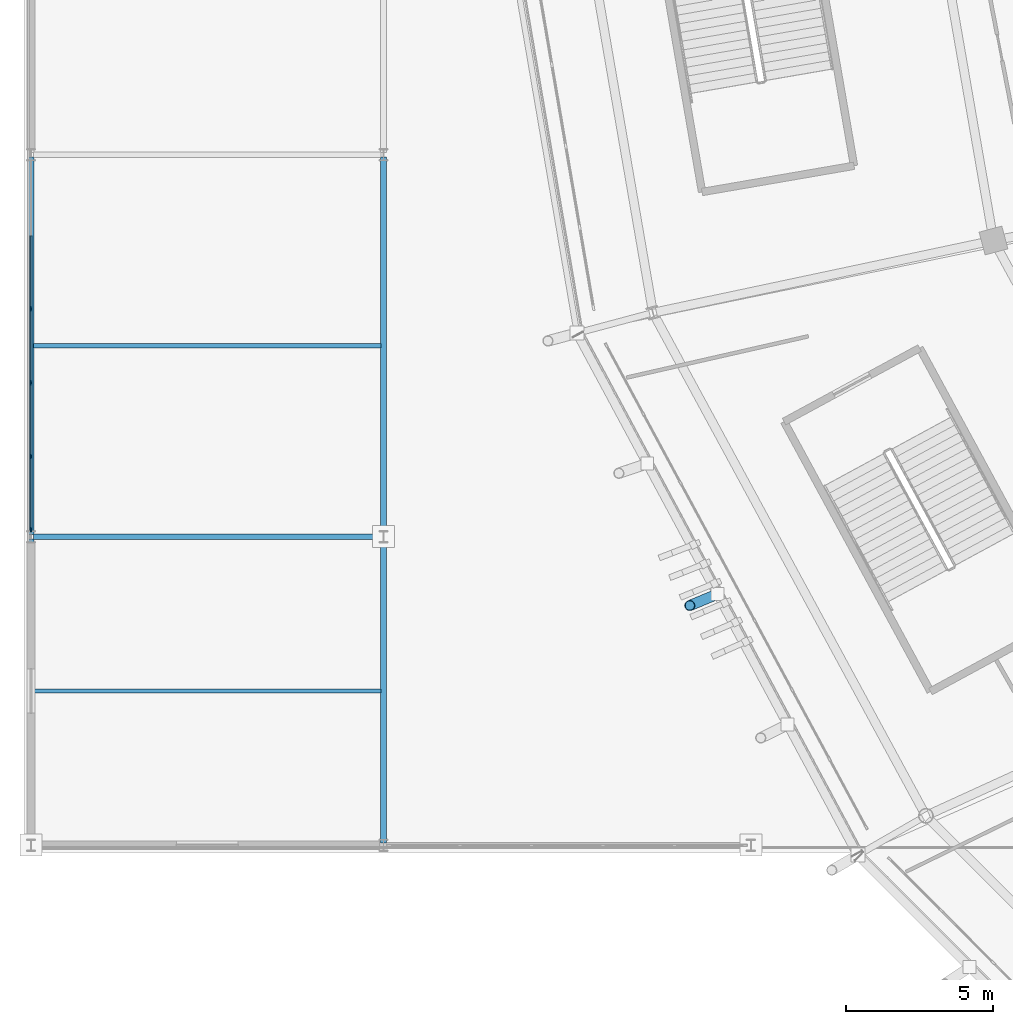
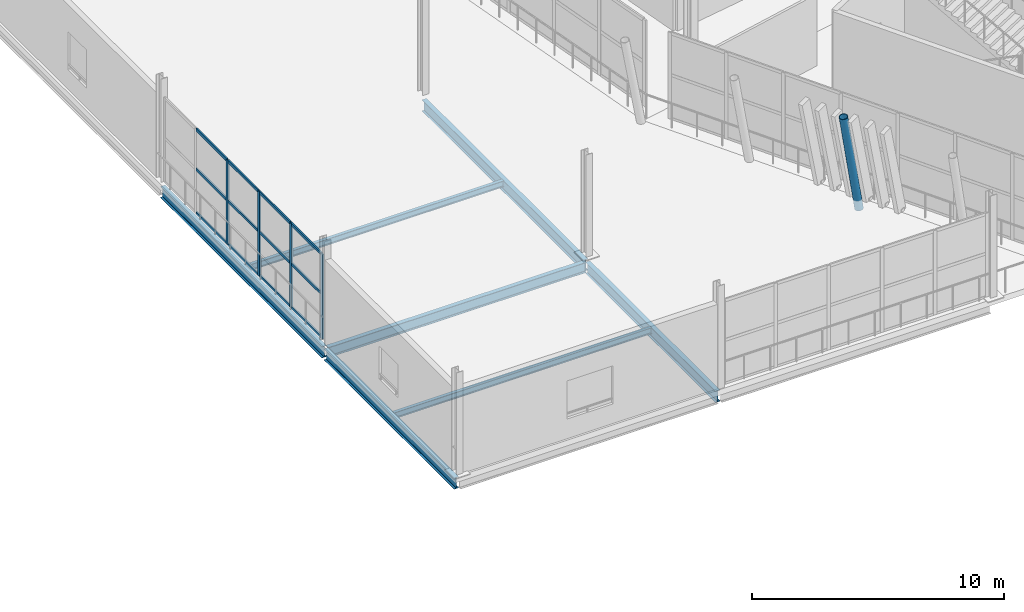
# One storey, part 28 of 179: 17 members, 7 beams, 1 element without a shape of its own.
"""IFC4 building model written with IfcOpenShell, lengths in metres."""

from ifc_helpers import new_model, si_unit, direction, frame, origin, origin_2d, place, context, subcontext, project, spatial, rectangle, hollow_circle, i_section, extrude, material, material_profile, profile_set, type_object, element, aggregate, save


model = new_model("IFC4")

# Units and contexts
model_context = context("Model", 3, precision=1e-05, world=origin(), true_north=direction((0.0, 1.0)))
body_context = subcontext(model_context, "Body", "Model", "MODEL_VIEW")
ifc_project = project(units=[si_unit("LENGTHUNIT", "METRE"), si_unit("AREAUNIT", "SQUARE_METRE"), si_unit("VOLUMEUNIT", "CUBIC_METRE"), si_unit("PLANEANGLEUNIT", "RADIAN"), si_unit("MASSUNIT", "GRAM", prefix="KILO")], contexts=[model_context])

# Site, building, storey
site_placement = place(None, origin())
site = spatial("IfcSite", under=ifc_project, at=site_placement, CompositionType="ELEMENT")
building_placement = place(site_placement, origin())
building = spatial("IfcBuilding", under=site, at=building_placement, Name="Zlatoyarsky Gate Stadium", CompositionType="ELEMENT")
storey_placement = place(building_placement, frame((0.0, 0.0, 10.60009765625)))
storey = spatial("IfcBuildingStorey", under=building, at=storey_placement, Name="L02", CompositionType="ELEMENT", Elevation=10.60009765625)

# Curtain wall, members
ifc_material_1 = material(Name="Thermally broken anodised aluminium curtain wall", Category="aluminium")
curtain_wall_type = type_object("IfcCurtainWallType", Name="WINTER GARDEN CONSERVATORY GLAZING", PredefinedType="USERDEFINED", material=ifc_material_1)
curtain_wall_placement = place(storey_placement, origin())
curtain_wall = element("IfcCurtainWall", 1, at=curtain_wall_placement, inside=storey, type_object=curtain_wall_type, Name="Curtain wall CW-V4_WEST-L02-168", ObjectType="UNITISED GLAZING", PredefinedType="USERDEFINED")
ifc_material_2 = material(Name="Anodised aluminium 6063-T6", Category="aluminium")
ifc_material_profile_1 = material_profile(ifc_material_2, rectangle(XDim=0.06494140625, YDim=0.159912109375, at=origin_2d()), Name="ALU 65X160")
ifc_profile_set_1 = profile_set([ifc_material_profile_1], Name="Anodised aluminium 6063-T6")
member_type_1 = type_object("IfcMemberType", Name="ALUMINIUM MULLION 65X160", PredefinedType="MULLION", material=ifc_profile_set_1)
member_1_placement = place(storey_placement, frame((0.0, 54.244384765625, 0.0), z_axis=(0.0, 0.0, 1.0), x_axis=(-1.0, 0.0, 0.0)))
member_1 = element("IfcMember", 2, at=member_1_placement, type_object=member_type_1, Name="CW-WG1 mullion 1", PredefinedType="MULLION", context=body_context, shape_type="SweptSolid", body=[
    extrude(rectangle(XDim=0.06494140625, YDim=0.159912109375, at=origin_2d()), origin(), (0.0, 0.0, 1.0), 4.099853515625),
])
member_2_placement = place(storey_placement, frame((0.0, 56.727294921875, 0.0), z_axis=(0.0, 0.0, 1.0), x_axis=(-1.0, 0.0, 0.0)))
member_2 = element("IfcMember", 3, at=member_2_placement, type_object=member_type_1, Name="CW-WG1 mullion 2", PredefinedType="MULLION", context=body_context, shape_type="SweptSolid", body=[
    extrude(rectangle(XDim=0.06494140625, YDim=0.159912109375, at=origin_2d()), origin(), (0.0, 0.0, 1.0), 4.099853515625),
])
member_3_placement = place(storey_placement, frame((0.0, 59.242431640625, 0.0), z_axis=(0.0, 0.0, 1.0), x_axis=(-1.0, 0.0, 0.0)))
member_3 = element("IfcMember", 4, at=member_3_placement, type_object=member_type_1, Name="CW-WG1 mullion 3", PredefinedType="MULLION", context=body_context, shape_type="SweptSolid", body=[
    extrude(rectangle(XDim=0.06494140625, YDim=0.159912109375, at=origin_2d()), origin(), (0.0, 0.0, 1.0), 4.099853515625),
])
member_4_placement = place(storey_placement, frame((0.0, 61.757568359375, 0.0), z_axis=(0.0, 0.0, 1.0), x_axis=(-1.0, 0.0, 0.0)))
member_4 = element("IfcMember", 5, at=member_4_placement, type_object=member_type_1, Name="CW-WG1 mullion 4", PredefinedType="MULLION", context=body_context, shape_type="SweptSolid", body=[
    extrude(rectangle(XDim=0.06494140625, YDim=0.159912109375, at=origin_2d()), origin(), (0.0, 0.0, 1.0), 4.099853515625),
])
ifc_material_profile_2 = material_profile(ifc_material_2, rectangle(XDim=0.06494140625, YDim=0.139892578125, at=origin_2d()), Name="ALU 65X140")
ifc_profile_set_2 = profile_set([ifc_material_profile_2], Name="Anodised aluminium 6063-T6")
member_type_2 = type_object("IfcMemberType", Name="ALUMINIUM TRANSOM 65X140", PredefinedType="USERDEFINED", material=ifc_profile_set_2)
member_5_placement = place(storey_placement, frame((0.0, 54.277099609375, 0.032470703125), z_axis=(0.0, 1.0, 0.0), x_axis=(-1.0, 0.0, 0.0)))
member_5 = element("IfcMember", 6, at=member_5_placement, type_object=member_type_2, Name="CW-WG1 transom 1.1", ObjectType="TRANSOM", PredefinedType="USERDEFINED", context=body_context, shape_type="SweptSolid", body=[
    extrude(rectangle(XDim=0.06494140625, YDim=0.139892578125, at=origin_2d()), origin(), (0.0, 0.0, 1.0), 2.41748046875),
])
member_6_placement = place(storey_placement, frame((0.0, 54.277099609375, 2.14990234375), z_axis=(0.0, 1.0, 0.0), x_axis=(-1.0, 0.0, 0.0)))
member_6 = element("IfcMember", 7, at=member_6_placement, type_object=member_type_2, Name="CW-WG1 transom 1.2", ObjectType="TRANSOM", PredefinedType="USERDEFINED", context=body_context, shape_type="SweptSolid", body=[
    extrude(rectangle(XDim=0.06494140625, YDim=0.139892578125, at=origin_2d()), origin(), (0.0, 0.0, 1.0), 2.41748046875),
])
member_7_placement = place(storey_placement, frame((0.0, 54.277099609375, 4.0673828125), z_axis=(0.0, 1.0, 0.0), x_axis=(-1.0, 0.0, 0.0)))
member_7 = element("IfcMember", 8, at=member_7_placement, type_object=member_type_2, Name="CW-WG1 transom 1.3", ObjectType="TRANSOM", PredefinedType="USERDEFINED", context=body_context, shape_type="SweptSolid", body=[
    extrude(rectangle(XDim=0.06494140625, YDim=0.139892578125, at=origin_2d()), origin(), (0.0, 0.0, 1.0), 2.41748046875),
])
member_8_placement = place(storey_placement, frame((0.0, 56.759765625, 0.032470703125), z_axis=(0.0, 1.0, 0.0), x_axis=(-1.0, 0.0, 0.0)))
member_8 = element("IfcMember", 9, at=member_8_placement, type_object=member_type_2, Name="CW-WG1 transom 2.1", ObjectType="TRANSOM", PredefinedType="USERDEFINED", context=body_context, shape_type="SweptSolid", body=[
    extrude(rectangle(XDim=0.06494140625, YDim=0.139892578125, at=origin_2d()), origin(), (0.0, 0.0, 1.0), 2.4501953125),
])
member_9_placement = place(storey_placement, frame((0.0, 56.759765625, 2.14990234375), z_axis=(0.0, 1.0, 0.0), x_axis=(-1.0, 0.0, 0.0)))
member_9 = element("IfcMember", 10, at=member_9_placement, type_object=member_type_2, Name="CW-WG1 transom 2.2", ObjectType="TRANSOM", PredefinedType="USERDEFINED", context=body_context, shape_type="SweptSolid", body=[
    extrude(rectangle(XDim=0.06494140625, YDim=0.139892578125, at=origin_2d()), origin(), (0.0, 0.0, 1.0), 2.4501953125),
])
member_10_placement = place(storey_placement, frame((0.0, 56.759765625, 4.0673828125), z_axis=(0.0, 1.0, 0.0), x_axis=(-1.0, 0.0, 0.0)))
member_10 = element("IfcMember", 11, at=member_10_placement, type_object=member_type_2, Name="CW-WG1 transom 2.3", ObjectType="TRANSOM", PredefinedType="USERDEFINED", context=body_context, shape_type="SweptSolid", body=[
    extrude(rectangle(XDim=0.06494140625, YDim=0.139892578125, at=origin_2d()), origin(), (0.0, 0.0, 1.0), 2.4501953125),
])
member_11_placement = place(storey_placement, frame((0.0, 59.27490234375, 0.032470703125), z_axis=(0.0, 1.0, 0.0), x_axis=(-1.0, 0.0, 0.0)))
member_11 = element("IfcMember", 12, at=member_11_placement, type_object=member_type_2, Name="CW-WG1 transom 3.1", ObjectType="TRANSOM", PredefinedType="USERDEFINED", context=body_context, shape_type="SweptSolid", body=[
    extrude(rectangle(XDim=0.06494140625, YDim=0.139892578125, at=origin_2d()), origin(), (0.0, 0.0, 1.0), 2.4501953125),
])
member_12_placement = place(storey_placement, frame((0.0, 59.27490234375, 2.14990234375), z_axis=(0.0, 1.0, 0.0), x_axis=(-1.0, 0.0, 0.0)))
member_12 = element("IfcMember", 13, at=member_12_placement, type_object=member_type_2, Name="CW-WG1 transom 3.2", ObjectType="TRANSOM", PredefinedType="USERDEFINED", context=body_context, shape_type="SweptSolid", body=[
    extrude(rectangle(XDim=0.06494140625, YDim=0.139892578125, at=origin_2d()), origin(), (0.0, 0.0, 1.0), 2.4501953125),
])
member_13_placement = place(storey_placement, frame((0.0, 59.27490234375, 4.0673828125), z_axis=(0.0, 1.0, 0.0), x_axis=(-1.0, 0.0, 0.0)))
member_13 = element("IfcMember", 14, at=member_13_placement, type_object=member_type_2, Name="CW-WG1 transom 3.3", ObjectType="TRANSOM", PredefinedType="USERDEFINED", context=body_context, shape_type="SweptSolid", body=[
    extrude(rectangle(XDim=0.06494140625, YDim=0.139892578125, at=origin_2d()), origin(), (0.0, 0.0, 1.0), 2.4501953125),
])
member_14_placement = place(storey_placement, frame((0.0, 61.7900390625, 0.032470703125), z_axis=(0.0, 1.0, 0.0), x_axis=(-1.0, 0.0, 0.0)))
member_14 = element("IfcMember", 15, at=member_14_placement, type_object=member_type_2, Name="CW-WG1 transom 4.1", ObjectType="TRANSOM", PredefinedType="USERDEFINED", context=body_context, shape_type="SweptSolid", body=[
    extrude(rectangle(XDim=0.06494140625, YDim=0.139892578125, at=origin_2d()), origin(), (0.0, 0.0, 1.0), 2.4501953125),
])
member_15_placement = place(storey_placement, frame((0.0, 61.7900390625, 2.14990234375), z_axis=(0.0, 1.0, 0.0), x_axis=(-1.0, 0.0, 0.0)))
member_15 = element("IfcMember", 16, at=member_15_placement, type_object=member_type_2, Name="CW-WG1 transom 4.2", ObjectType="TRANSOM", PredefinedType="USERDEFINED", context=body_context, shape_type="SweptSolid", body=[
    extrude(rectangle(XDim=0.06494140625, YDim=0.139892578125, at=origin_2d()), origin(), (0.0, 0.0, 1.0), 2.4501953125),
])
member_16_placement = place(storey_placement, frame((0.0, 61.7900390625, 4.0673828125), z_axis=(0.0, 1.0, 0.0), x_axis=(-1.0, 0.0, 0.0)))
member_16 = element("IfcMember", 17, at=member_16_placement, type_object=member_type_2, Name="CW-WG1 transom 4.3", ObjectType="TRANSOM", PredefinedType="USERDEFINED", context=body_context, shape_type="SweptSolid", body=[
    extrude(rectangle(XDim=0.06494140625, YDim=0.139892578125, at=origin_2d()), origin(), (0.0, 0.0, 1.0), 2.4501953125),
])
aggregate(curtain_wall, [member_1, member_2, member_3, member_4, member_5, member_6, member_7, member_8, member_9, member_10, member_11, member_12, member_13, member_14, member_15, member_16])

# Beams
ifc_material_3 = material(Name="Steel S355", Category="steel")
ifc_material_profile_3 = material_profile(ifc_material_3, i_section(OverallWidth=0.199951171875, OverallDepth=0.5, WebThickness=0.01025390625, FlangeThickness=0.01611328125, FilletRadius=0.02099609375, at=origin_2d()), Name="IPE 500")
ifc_profile_set_3 = profile_set([ifc_material_profile_3], Name="Steel S355")
beam_type_1 = type_object("IfcBeamType", Name="STEEL FLOOR BEAM IPE 500", PredefinedType="BEAM", material=ifc_profile_set_3)
beam_1_placement = place(storey_placement, frame((0.080078125, 54.0, -0.530029296875), z_axis=(1.0, 0.0, 0.0), x_axis=(0.0, 1.0, 0.0)))
element("IfcBeam", 18, at=beam_1_placement, inside=storey, type_object=beam_type_1, Name="Beam B-IPE500 BM-L02-WGX-1-F", PredefinedType="BEAM", context=body_context, shape_type="SweptSolid", body=[
    extrude(i_section(OverallWidth=0.199951171875, OverallDepth=0.5, WebThickness=0.01025390625, FlangeThickness=0.01611328125, FilletRadius=0.02099609375, at=origin_2d()), origin(), (0.0, 0.0, 1.0), 11.83984375),
])
ifc_material_profile_4 = material_profile(ifc_material_3, i_section(OverallWidth=0.2099609375, OverallDepth=0.550048828125, WebThickness=0.010986328125, FlangeThickness=0.01708984375, FilletRadius=0.02392578125, at=origin_2d()), Name="IPE 550")
ifc_profile_set_4 = profile_set([ifc_material_profile_4], Name="Steel S355")
beam_type_2 = type_object("IfcBeamType", Name="STEEL FLOOR BEAM IPE 550", PredefinedType="BEAM", material=ifc_profile_set_4)
beam_2_placement = place(storey_placement, frame((0.0, 43.580078125, -0.55517578125), z_axis=(0.0, 1.0, 0.0), x_axis=(-1.0, 0.0, 0.0)))
element("IfcBeam", 19, at=beam_2_placement, inside=storey, type_object=beam_type_2, Name="Beam B-IPE550 BM-L02-WGY-1-E", PredefinedType="BEAM", context=body_context, shape_type="SweptSolid", body=[
    extrude(i_section(OverallWidth=0.2099609375, OverallDepth=0.550048828125, WebThickness=0.010986328125, FlangeThickness=0.01708984375, FilletRadius=0.02392578125, at=origin_2d()), origin(), (0.0, 0.0, 1.0), 10.33984375),
])
beam_3_placement = place(storey_placement, frame((0.0, 54.080078125, -0.55517578125), z_axis=(0.0, 1.0, 0.0), x_axis=(-1.0, 0.0, 0.0)))
element("IfcBeam", 20, at=beam_3_placement, inside=storey, type_object=beam_type_2, Name="Beam B-IPE550 BM-L02-WGY-1-F", PredefinedType="BEAM", context=body_context, shape_type="SweptSolid", body=[
    extrude(i_section(OverallWidth=0.2099609375, OverallDepth=0.550048828125, WebThickness=0.010986328125, FlangeThickness=0.01708984375, FilletRadius=0.02392578125, at=origin_2d()), origin(), (0.0, 0.0, 1.0), 12.83984375),
])
beam_4_placement = place(storey_placement, frame((12.0, 43.580078125, -0.55517578125), z_axis=(0.0, 1.0, 0.0), x_axis=(-1.0, 0.0, 0.0)))
element("IfcBeam", 21, at=beam_4_placement, inside=storey, type_object=beam_type_2, Name="Beam B-IPE550 BM-L02-WGY-2-E", PredefinedType="BEAM", context=body_context, shape_type="SweptSolid", body=[
    extrude(i_section(OverallWidth=0.2099609375, OverallDepth=0.550048828125, WebThickness=0.010986328125, FlangeThickness=0.01708984375, FilletRadius=0.02392578125, at=origin_2d()), origin(), (0.0, 0.0, 1.0), 10.33984375),
])
beam_5_placement = place(storey_placement, frame((12.0, 54.080078125, -0.55517578125), z_axis=(0.0, 1.0, 0.0), x_axis=(-1.0, 0.0, 0.0)))
element("IfcBeam", 22, at=beam_5_placement, inside=storey, type_object=beam_type_2, Name="Beam B-IPE550 BM-L02-WGY-2-F", PredefinedType="BEAM", context=body_context, shape_type="SweptSolid", body=[
    extrude(i_section(OverallWidth=0.2099609375, OverallDepth=0.550048828125, WebThickness=0.010986328125, FlangeThickness=0.01708984375, FilletRadius=0.02392578125, at=origin_2d()), origin(), (0.0, 0.0, 1.0), 12.83984375),
])

# Member
ifc_material_profile_5 = material_profile(ifc_material_3, hollow_circle(Radius=0.177734375, WallThickness=0.02001953125, at=origin_2d()), Name="CHS 355.6X20")
ifc_profile_set_5 = profile_set([ifc_material_profile_5], Name="Steel S355")
member_type_3 = type_object("IfcMemberType", Name="STEEL LEANING RIB RING STRUT CHS 355.6X20", PredefinedType="STRUT", material=ifc_profile_set_5)
member_17_placement = place(storey_placement, frame((23.36328125, 52.046630859375, -0.530029296875), z_axis=(-0.184259506666, -0.076316258928, 0.979910334075), x_axis=(0.382655494937, -0.923891104078, 0.0)))
element("IfcMember", 23, at=member_17_placement, inside=storey, type_object=member_type_3, Name="Outward-leaning bowl louvre fin rib L02 13-2", PredefinedType="STRUT", context=body_context, shape_type="SweptSolid", body=[
    extrude(hollow_circle(Radius=0.177734375, WallThickness=0.02001953125, at=origin_2d()), origin(), (0.0, 0.0, 1.0), 5.1025390625),
])

# Beams
ifc_material_profile_6 = material_profile(ifc_material_3, i_section(OverallWidth=0.14990234375, OverallDepth=0.300048828125, WebThickness=0.007080078125, FlangeThickness=0.0107421875, FilletRadius=0.014892578125, at=origin_2d()), Name="IPE 300")
ifc_profile_set_6 = profile_set([ifc_material_profile_6], Name="Steel S355")
beam_type_3 = type_object("IfcBeamType", Name="STEEL SECONDARY JOIST IPE 300", PredefinedType="JOIST", material=ifc_profile_set_6)
for number, where, z_axis, x_axis, name in (
    (24, (0.090087890625, 48.75, -0.43017578125), (1.0, 0.0, 0.0), (0.0, 1.0, 0.0), "Beam J-IPE300 JST-L02-1-E"),
    (25, (0.090087890625, 60.5, -0.43017578125), (1.0, 0.0, 0.0), (0.0, 1.0, 0.0), "Beam J-IPE300 JST-L02-1-F"),
):
    element("IfcBeam", number, at=place(storey_placement, frame(where, z_axis=z_axis, x_axis=x_axis)), inside=storey, type_object=beam_type_3, Name=name, PredefinedType="JOIST", context=body_context, shape_type="SweptSolid", body=[
        extrude(i_section(OverallWidth=0.14990234375, OverallDepth=0.300048828125, WebThickness=0.007080078125, FlangeThickness=0.0107421875, FilletRadius=0.014892578125, at=origin_2d()), origin(), (0.0, 0.0, 1.0), 11.81982421875),
    ])

save(model, "model.ifc")
